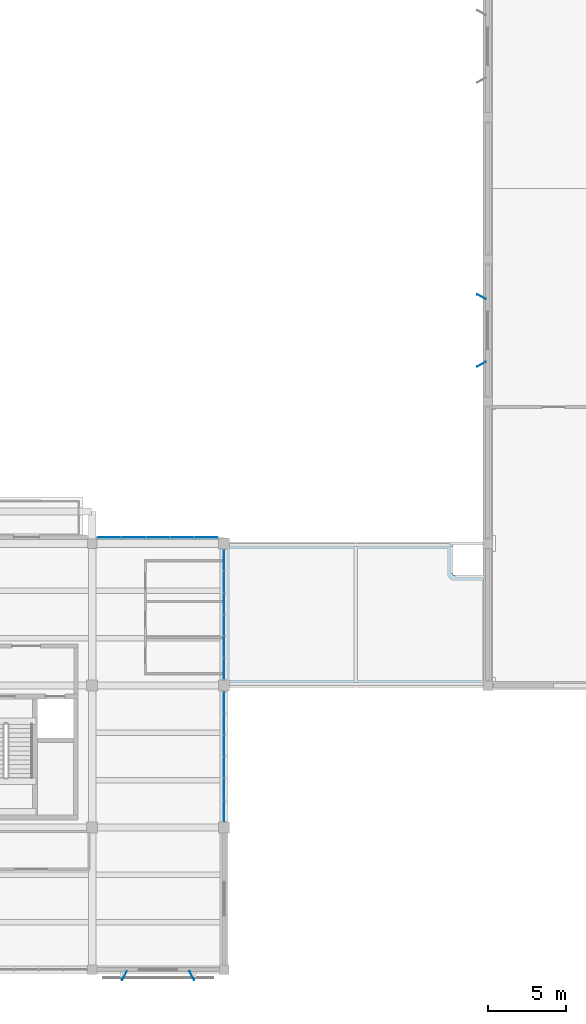
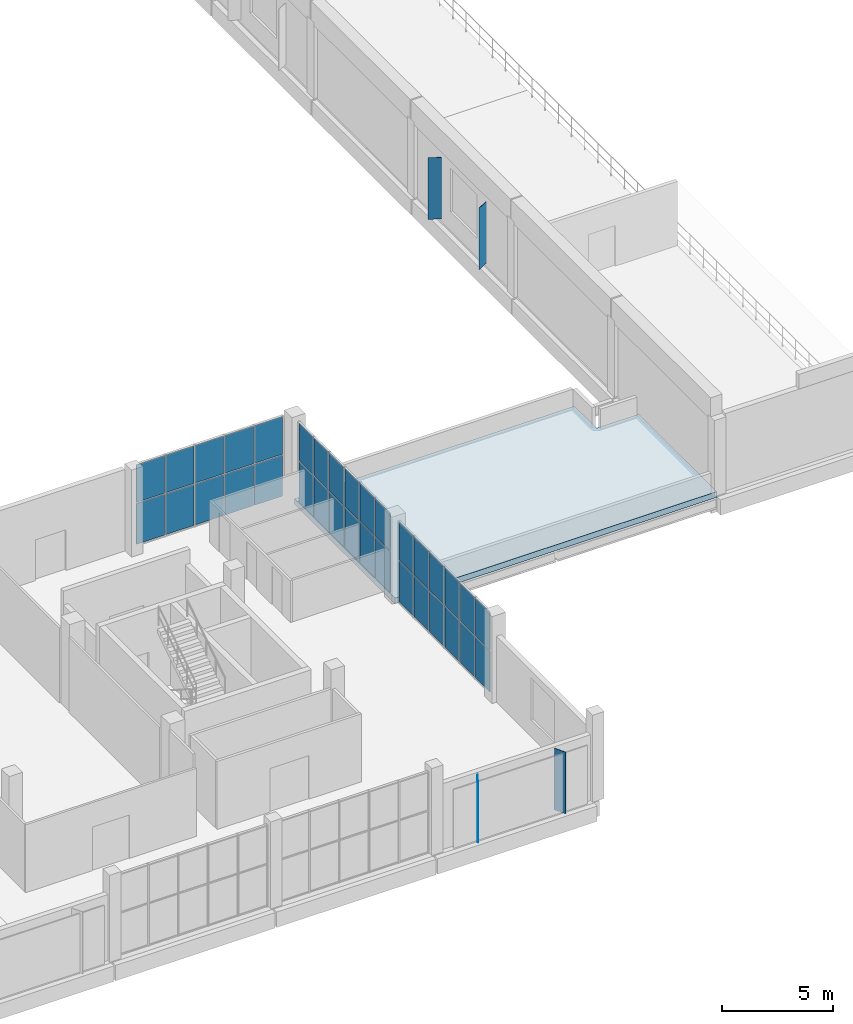
# One storey, part 47 of 80: 38 plates, 1 slab, 3 elements without a shape of their own.
"""IFC4 building model written with IfcOpenShell, lengths in metres."""

from ifc_helpers import new_model, si_unit, direction, frame, origin, origin_2d, place, context, subcontext, project, spatial, polyline, rectangle, outline, extrude, material, layer, layer_set, type_object, element, aggregate, save


model = new_model("IFC4")

# Units and contexts
model_context = context("Model", 3, precision=1e-05, world=origin(), true_north=direction((0.0, 1.0)))
body_context = subcontext(model_context, "Body", "Model", "MODEL_VIEW")
ifc_project = project(units=[si_unit("LENGTHUNIT", "METRE"), si_unit("AREAUNIT", "SQUARE_METRE"), si_unit("VOLUMEUNIT", "CUBIC_METRE"), si_unit("PLANEANGLEUNIT", "RADIAN"), si_unit("MASSUNIT", "GRAM", prefix="KILO")], contexts=[model_context])

# Site, building, storey
site_placement = place(None, origin())
site = spatial("IfcSite", under=ifc_project, at=site_placement, CompositionType="ELEMENT")
building_placement = place(site_placement, origin())
building = spatial("IfcBuilding", under=site, at=building_placement, Name="Khurvash Pelagic Aquarium", CompositionType="ELEMENT")
storey_placement = place(building_placement, frame((0.0, 0.0, 10.800048828125)))
storey = spatial("IfcBuildingStorey", under=building, at=storey_placement, Name="L02", CompositionType="ELEMENT", Elevation=10.800048828125)

# Curtain wall, plates
ifc_material_1 = material(Name="Anodised aluminium and low-E laminated glass", Category="aluminium")
curtain_wall_type_1 = type_object("IfcCurtainWallType", Name="CW-03", PredefinedType="USERDEFINED", material=ifc_material_1)
curtain_wall_1_placement = place(storey_placement, origin())
curtain_wall_1 = element("IfcCurtainWall", 1, at=curtain_wall_1_placement, inside=storey, type_object=curtain_wall_type_1, Name="L02 Facade Unitised Curtain Wall CW-03 0157", ObjectType="UNITISED CURTAIN WALL", PredefinedType="USERDEFINED")
ifc_material_2 = material(Name="Low-E laminated double glazing", Category="glass")
ifc_layer_1 = layer(ifc_material_2, 0.028076171875)
ifc_layer_set_1 = layer_set([ifc_layer_1], Name="Low-E laminated double glazing")
plate_type_1 = type_object("IfcPlateType", Name="CG-03", PredefinedType="CURTAIN_PANEL", material=ifc_layer_set_1)
plate_1_placement = place(storey_placement, frame((109.199951171875, 12.715087890625, 0.06005859375), z_axis=(0.0, 0.0, 1.0), x_axis=(0.0, 1.0, 0.0)))
plate_1 = element("IfcPlate", 2, at=plate_1_placement, type_object=plate_type_1, Name="CW-03 panel 1.1", PredefinedType="CURTAIN_PANEL", context=body_context, shape_type="SweptSolid", body=[
    extrude(rectangle(XDim=1.300048828125, YDim=0.028076171875, at=origin_2d()), origin(), (0.0, 0.0, 1.0), 2.25),
])
plate_2_placement = place(storey_placement, frame((109.199951171875, 12.715087890625, 2.3701171875), z_axis=(0.0, 0.0, 1.0), x_axis=(0.0, 1.0, 0.0)))
plate_2 = element("IfcPlate", 3, at=plate_2_placement, type_object=plate_type_1, Name="CW-03 panel 1.2", PredefinedType="CURTAIN_PANEL", context=body_context, shape_type="SweptSolid", body=[
    extrude(rectangle(XDim=1.300048828125, YDim=0.028076171875, at=origin_2d()), origin(), (0.0, 0.0, 1.0), 2.070068359375),
])
plate_3_placement = place(storey_placement, frame((109.199951171875, 14.090087890625, 0.06005859375), z_axis=(0.0, 0.0, 1.0), x_axis=(0.0, 1.0, 0.0)))
plate_3 = element("IfcPlate", 4, at=plate_3_placement, type_object=plate_type_1, Name="CW-03 panel 2.1", PredefinedType="CURTAIN_PANEL", context=body_context, shape_type="SweptSolid", body=[
    extrude(rectangle(XDim=1.330078125, YDim=0.028076171875, at=origin_2d()), origin(), (0.0, 0.0, 1.0), 2.25),
])
plate_4_placement = place(storey_placement, frame((109.199951171875, 14.090087890625, 2.3701171875), z_axis=(0.0, 0.0, 1.0), x_axis=(0.0, 1.0, 0.0)))
plate_4 = element("IfcPlate", 5, at=plate_4_placement, type_object=plate_type_1, Name="CW-03 panel 2.2", PredefinedType="CURTAIN_PANEL", context=body_context, shape_type="SweptSolid", body=[
    extrude(rectangle(XDim=1.330078125, YDim=0.028076171875, at=origin_2d()), origin(), (0.0, 0.0, 1.0), 2.070068359375),
])
plate_5_placement = place(storey_placement, frame((109.199951171875, 15.47998046875, 0.06005859375), z_axis=(0.0, 0.0, 1.0), x_axis=(0.0, 1.0, 0.0)))
plate_5 = element("IfcPlate", 6, at=plate_5_placement, type_object=plate_type_1, Name="CW-03 panel 3.1", PredefinedType="CURTAIN_PANEL", context=body_context, shape_type="SweptSolid", body=[
    extrude(rectangle(XDim=1.330078125, YDim=0.028076171875, at=origin_2d()), origin(), (0.0, 0.0, 1.0), 2.25),
])
plate_6_placement = place(storey_placement, frame((109.199951171875, 15.47998046875, 2.3701171875), z_axis=(0.0, 0.0, 1.0), x_axis=(0.0, 1.0, 0.0)))
plate_6 = element("IfcPlate", 7, at=plate_6_placement, type_object=plate_type_1, Name="CW-03 panel 3.2", PredefinedType="CURTAIN_PANEL", context=body_context, shape_type="SweptSolid", body=[
    extrude(rectangle(XDim=1.330078125, YDim=0.028076171875, at=origin_2d()), origin(), (0.0, 0.0, 1.0), 2.070068359375),
])
plate_7_placement = place(storey_placement, frame((109.199951171875, 16.8701171875, 0.06005859375), z_axis=(0.0, 0.0, 1.0), x_axis=(0.0, 1.0, 0.0)))
plate_7 = element("IfcPlate", 8, at=plate_7_placement, type_object=plate_type_1, Name="CW-03 panel 4.1", PredefinedType="CURTAIN_PANEL", context=body_context, shape_type="SweptSolid", body=[
    extrude(rectangle(XDim=1.330078125, YDim=0.028076171875, at=origin_2d()), origin(), (0.0, 0.0, 1.0), 2.25),
])
plate_8_placement = place(storey_placement, frame((109.199951171875, 16.8701171875, 2.3701171875), z_axis=(0.0, 0.0, 1.0), x_axis=(0.0, 1.0, 0.0)))
plate_8 = element("IfcPlate", 9, at=plate_8_placement, type_object=plate_type_1, Name="CW-03 panel 4.2", PredefinedType="CURTAIN_PANEL", context=body_context, shape_type="SweptSolid", body=[
    extrude(rectangle(XDim=1.330078125, YDim=0.028076171875, at=origin_2d()), origin(), (0.0, 0.0, 1.0), 2.070068359375),
])
plate_9_placement = place(storey_placement, frame((109.199951171875, 18.260009765625, 0.06005859375), z_axis=(0.0, 0.0, 1.0), x_axis=(0.0, 1.0, 0.0)))
plate_9 = element("IfcPlate", 10, at=plate_9_placement, type_object=plate_type_1, Name="CW-03 panel 5.1", PredefinedType="CURTAIN_PANEL", context=body_context, shape_type="SweptSolid", body=[
    extrude(rectangle(XDim=1.330078125, YDim=0.028076171875, at=origin_2d()), origin(), (0.0, 0.0, 1.0), 2.25),
])
plate_10_placement = place(storey_placement, frame((109.199951171875, 18.260009765625, 2.3701171875), z_axis=(0.0, 0.0, 1.0), x_axis=(0.0, 1.0, 0.0)))
plate_10 = element("IfcPlate", 11, at=plate_10_placement, type_object=plate_type_1, Name="CW-03 panel 5.2", PredefinedType="CURTAIN_PANEL", context=body_context, shape_type="SweptSolid", body=[
    extrude(rectangle(XDim=1.330078125, YDim=0.028076171875, at=origin_2d()), origin(), (0.0, 0.0, 1.0), 2.070068359375),
])
plate_11_placement = place(storey_placement, frame((109.199951171875, 19.635009765625, 0.06005859375), z_axis=(0.0, 0.0, 1.0), x_axis=(0.0, 1.0, 0.0)))
plate_11 = element("IfcPlate", 12, at=plate_11_placement, type_object=plate_type_1, Name="CW-03 panel 6.1", PredefinedType="CURTAIN_PANEL", context=body_context, shape_type="SweptSolid", body=[
    extrude(rectangle(XDim=1.300048828125, YDim=0.028076171875, at=origin_2d()), origin(), (0.0, 0.0, 1.0), 2.25),
])
plate_12_placement = place(storey_placement, frame((109.199951171875, 19.635009765625, 2.3701171875), z_axis=(0.0, 0.0, 1.0), x_axis=(0.0, 1.0, 0.0)))
plate_12 = element("IfcPlate", 13, at=plate_12_placement, type_object=plate_type_1, Name="CW-03 panel 6.2", PredefinedType="CURTAIN_PANEL", context=body_context, shape_type="SweptSolid", body=[
    extrude(rectangle(XDim=1.300048828125, YDim=0.028076171875, at=origin_2d()), origin(), (0.0, 0.0, 1.0), 2.070068359375),
])
aggregate(curtain_wall_1, [plate_1, plate_2, plate_3, plate_4, plate_5, plate_6, plate_7, plate_8, plate_9, plate_10, plate_11, plate_12])

curtain_wall_2_placement = place(storey_placement, origin())
curtain_wall_2 = element("IfcCurtainWall", 14, at=curtain_wall_2_placement, inside=storey, type_object=curtain_wall_type_1, Name="L02 Facade Unitised Curtain Wall CW-03 0158", ObjectType="UNITISED CURTAIN WALL", PredefinedType="USERDEFINED")
plate_13_placement = place(storey_placement, frame((109.199951171875, 21.764892578125, 0.06005859375), z_axis=(0.0, 0.0, 1.0), x_axis=(0.0, 1.0, 0.0)))
plate_13 = element("IfcPlate", 15, at=plate_13_placement, type_object=plate_type_1, Name="CW-03 panel 1.1", PredefinedType="CURTAIN_PANEL", context=body_context, shape_type="SweptSolid", body=[
    extrude(rectangle(XDim=1.300048828125, YDim=0.028076171875, at=origin_2d()), origin(), (0.0, 0.0, 1.0), 2.25),
])
plate_14_placement = place(storey_placement, frame((109.199951171875, 21.764892578125, 2.3701171875), z_axis=(0.0, 0.0, 1.0), x_axis=(0.0, 1.0, 0.0)))
plate_14 = element("IfcPlate", 16, at=plate_14_placement, type_object=plate_type_1, Name="CW-03 panel 1.2", PredefinedType="CURTAIN_PANEL", context=body_context, shape_type="SweptSolid", body=[
    extrude(rectangle(XDim=1.300048828125, YDim=0.028076171875, at=origin_2d()), origin(), (0.0, 0.0, 1.0), 2.070068359375),
])
plate_15_placement = place(storey_placement, frame((109.199951171875, 23.139892578125, 0.06005859375), z_axis=(0.0, 0.0, 1.0), x_axis=(0.0, 1.0, 0.0)))
plate_15 = element("IfcPlate", 17, at=plate_15_placement, type_object=plate_type_1, Name="CW-03 panel 2.1", PredefinedType="CURTAIN_PANEL", context=body_context, shape_type="SweptSolid", body=[
    extrude(rectangle(XDim=1.330078125, YDim=0.028076171875, at=origin_2d()), origin(), (0.0, 0.0, 1.0), 2.25),
])
plate_16_placement = place(storey_placement, frame((109.199951171875, 23.139892578125, 2.3701171875), z_axis=(0.0, 0.0, 1.0), x_axis=(0.0, 1.0, 0.0)))
plate_16 = element("IfcPlate", 18, at=plate_16_placement, type_object=plate_type_1, Name="CW-03 panel 2.2", PredefinedType="CURTAIN_PANEL", context=body_context, shape_type="SweptSolid", body=[
    extrude(rectangle(XDim=1.330078125, YDim=0.028076171875, at=origin_2d()), origin(), (0.0, 0.0, 1.0), 2.070068359375),
])
plate_17_placement = place(storey_placement, frame((109.199951171875, 24.530029296875, 0.06005859375), z_axis=(0.0, 0.0, 1.0), x_axis=(0.0, 1.0, 0.0)))
plate_17 = element("IfcPlate", 19, at=plate_17_placement, type_object=plate_type_1, Name="CW-03 panel 3.1", PredefinedType="CURTAIN_PANEL", context=body_context, shape_type="SweptSolid", body=[
    extrude(rectangle(XDim=1.330078125, YDim=0.028076171875, at=origin_2d()), origin(), (0.0, 0.0, 1.0), 2.25),
])
plate_18_placement = place(storey_placement, frame((109.199951171875, 24.530029296875, 2.3701171875), z_axis=(0.0, 0.0, 1.0), x_axis=(0.0, 1.0, 0.0)))
plate_18 = element("IfcPlate", 20, at=plate_18_placement, type_object=plate_type_1, Name="CW-03 panel 3.2", PredefinedType="CURTAIN_PANEL", context=body_context, shape_type="SweptSolid", body=[
    extrude(rectangle(XDim=1.330078125, YDim=0.028076171875, at=origin_2d()), origin(), (0.0, 0.0, 1.0), 2.070068359375),
])
plate_19_placement = place(storey_placement, frame((109.199951171875, 25.919921875, 0.06005859375), z_axis=(0.0, 0.0, 1.0), x_axis=(0.0, 1.0, 0.0)))
plate_19 = element("IfcPlate", 21, at=plate_19_placement, type_object=plate_type_1, Name="CW-03 panel 4.1", PredefinedType="CURTAIN_PANEL", context=body_context, shape_type="SweptSolid", body=[
    extrude(rectangle(XDim=1.330078125, YDim=0.028076171875, at=origin_2d()), origin(), (0.0, 0.0, 1.0), 2.25),
])
plate_20_placement = place(storey_placement, frame((109.199951171875, 25.919921875, 2.3701171875), z_axis=(0.0, 0.0, 1.0), x_axis=(0.0, 1.0, 0.0)))
plate_20 = element("IfcPlate", 22, at=plate_20_placement, type_object=plate_type_1, Name="CW-03 panel 4.2", PredefinedType="CURTAIN_PANEL", context=body_context, shape_type="SweptSolid", body=[
    extrude(rectangle(XDim=1.330078125, YDim=0.028076171875, at=origin_2d()), origin(), (0.0, 0.0, 1.0), 2.070068359375),
])
plate_21_placement = place(storey_placement, frame((109.199951171875, 27.31005859375, 0.06005859375), z_axis=(0.0, 0.0, 1.0), x_axis=(0.0, 1.0, 0.0)))
plate_21 = element("IfcPlate", 23, at=plate_21_placement, type_object=plate_type_1, Name="CW-03 panel 5.1", PredefinedType="CURTAIN_PANEL", context=body_context, shape_type="SweptSolid", body=[
    extrude(rectangle(XDim=1.330078125, YDim=0.028076171875, at=origin_2d()), origin(), (0.0, 0.0, 1.0), 2.25),
])
plate_22_placement = place(storey_placement, frame((109.199951171875, 27.31005859375, 2.3701171875), z_axis=(0.0, 0.0, 1.0), x_axis=(0.0, 1.0, 0.0)))
plate_22 = element("IfcPlate", 24, at=plate_22_placement, type_object=plate_type_1, Name="CW-03 panel 5.2", PredefinedType="CURTAIN_PANEL", context=body_context, shape_type="SweptSolid", body=[
    extrude(rectangle(XDim=1.330078125, YDim=0.028076171875, at=origin_2d()), origin(), (0.0, 0.0, 1.0), 2.070068359375),
])
plate_23_placement = place(storey_placement, frame((109.199951171875, 28.68505859375, 0.06005859375), z_axis=(0.0, 0.0, 1.0), x_axis=(0.0, 1.0, 0.0)))
plate_23 = element("IfcPlate", 25, at=plate_23_placement, type_object=plate_type_1, Name="CW-03 panel 6.1", PredefinedType="CURTAIN_PANEL", context=body_context, shape_type="SweptSolid", body=[
    extrude(rectangle(XDim=1.300048828125, YDim=0.028076171875, at=origin_2d()), origin(), (0.0, 0.0, 1.0), 2.25),
])
plate_24_placement = place(storey_placement, frame((109.199951171875, 28.68505859375, 2.3701171875), z_axis=(0.0, 0.0, 1.0), x_axis=(0.0, 1.0, 0.0)))
plate_24 = element("IfcPlate", 26, at=plate_24_placement, type_object=plate_type_1, Name="CW-03 panel 6.2", PredefinedType="CURTAIN_PANEL", context=body_context, shape_type="SweptSolid", body=[
    extrude(rectangle(XDim=1.300048828125, YDim=0.028076171875, at=origin_2d()), origin(), (0.0, 0.0, 1.0), 2.070068359375),
])
aggregate(curtain_wall_2, [plate_13, plate_14, plate_15, plate_16, plate_17, plate_18, plate_19, plate_20, plate_21, plate_22, plate_23, plate_24])

curtain_wall_type_2 = type_object("IfcCurtainWallType", Name="CW-06", PredefinedType="USERDEFINED", material=ifc_material_1)
curtain_wall_3_placement = place(storey_placement, origin())
curtain_wall_3 = element("IfcCurtainWall", 27, at=curtain_wall_3_placement, inside=storey, type_object=curtain_wall_type_2, Name="L02 Facade Unitised Curtain Wall CW-06 0159", ObjectType="UNITISED CURTAIN WALL", PredefinedType="USERDEFINED")
ifc_layer_2 = layer(ifc_material_2, 0.030029296875)
ifc_layer_set_2 = layer_set([ifc_layer_2], Name="Low-E laminated double glazing")
plate_type_2 = type_object("IfcPlateType", Name="CG-06", PredefinedType="CURTAIN_PANEL", material=ifc_layer_set_2)
plate_25_placement = place(storey_placement, frame((108.055908203125, 30.14990234375, 0.06005859375), z_axis=(0.0, 0.0, 1.0), x_axis=(-1.0, 0.0, 0.0)))
plate_25 = element("IfcPlate", 28, at=plate_25_placement, type_object=plate_type_2, Name="CW-06 panel 1.1", PredefinedType="CURTAIN_PANEL", context=body_context, shape_type="SweptSolid", body=[
    extrude(rectangle(XDim=1.4580078125, YDim=0.030029296875, at=origin_2d()), origin(), (0.0, 0.0, 1.0), 2.25),
])
plate_26_placement = place(storey_placement, frame((108.055908203125, 30.14990234375, 2.3701171875), z_axis=(0.0, 0.0, 1.0), x_axis=(-1.0, 0.0, 0.0)))
plate_26 = element("IfcPlate", 29, at=plate_26_placement, type_object=plate_type_2, Name="CW-06 panel 1.2", PredefinedType="CURTAIN_PANEL", context=body_context, shape_type="SweptSolid", body=[
    extrude(rectangle(XDim=1.4580078125, YDim=0.030029296875, at=origin_2d()), origin(), (0.0, 0.0, 1.0), 2.070068359375),
])
plate_27_placement = place(storey_placement, frame((106.52294921875, 30.14990234375, 0.06005859375), z_axis=(0.0, 0.0, 1.0), x_axis=(-1.0, 0.0, 0.0)))
plate_27 = element("IfcPlate", 30, at=plate_27_placement, type_object=plate_type_2, Name="CW-06 panel 2.1", PredefinedType="CURTAIN_PANEL", context=body_context, shape_type="SweptSolid", body=[
    extrude(rectangle(XDim=1.488037109375, YDim=0.030029296875, at=origin_2d()), origin(), (0.0, 0.0, 1.0), 2.25),
])
plate_28_placement = place(storey_placement, frame((106.52294921875, 30.14990234375, 2.3701171875), z_axis=(0.0, 0.0, 1.0), x_axis=(-1.0, 0.0, 0.0)))
plate_28 = element("IfcPlate", 31, at=plate_28_placement, type_object=plate_type_2, Name="CW-06 panel 2.2", PredefinedType="CURTAIN_PANEL", context=body_context, shape_type="SweptSolid", body=[
    extrude(rectangle(XDim=1.488037109375, YDim=0.030029296875, at=origin_2d()), origin(), (0.0, 0.0, 1.0), 2.070068359375),
])
plate_29_placement = place(storey_placement, frame((104.97509765625, 30.14990234375, 0.06005859375), z_axis=(0.0, 0.0, 1.0), x_axis=(-1.0, 0.0, 0.0)))
plate_29 = element("IfcPlate", 32, at=plate_29_placement, type_object=plate_type_2, Name="CW-06 panel 3.1", PredefinedType="CURTAIN_PANEL", context=body_context, shape_type="SweptSolid", body=[
    extrude(rectangle(XDim=1.488037109375, YDim=0.030029296875, at=origin_2d()), origin(), (0.0, 0.0, 1.0), 2.25),
])
plate_30_placement = place(storey_placement, frame((104.97509765625, 30.14990234375, 2.3701171875), z_axis=(0.0, 0.0, 1.0), x_axis=(-1.0, 0.0, 0.0)))
plate_30 = element("IfcPlate", 33, at=plate_30_placement, type_object=plate_type_2, Name="CW-06 panel 3.2", PredefinedType="CURTAIN_PANEL", context=body_context, shape_type="SweptSolid", body=[
    extrude(rectangle(XDim=1.488037109375, YDim=0.030029296875, at=origin_2d()), origin(), (0.0, 0.0, 1.0), 2.070068359375),
])
plate_31_placement = place(storey_placement, frame((103.427001953125, 30.14990234375, 0.06005859375), z_axis=(0.0, 0.0, 1.0), x_axis=(-1.0, 0.0, 0.0)))
plate_31 = element("IfcPlate", 34, at=plate_31_placement, type_object=plate_type_2, Name="CW-06 panel 4.1", PredefinedType="CURTAIN_PANEL", context=body_context, shape_type="SweptSolid", body=[
    extrude(rectangle(XDim=1.488037109375, YDim=0.030029296875, at=origin_2d()), origin(), (0.0, 0.0, 1.0), 2.25),
])
plate_32_placement = place(storey_placement, frame((103.427001953125, 30.14990234375, 2.3701171875), z_axis=(0.0, 0.0, 1.0), x_axis=(-1.0, 0.0, 0.0)))
plate_32 = element("IfcPlate", 35, at=plate_32_placement, type_object=plate_type_2, Name="CW-06 panel 4.2", PredefinedType="CURTAIN_PANEL", context=body_context, shape_type="SweptSolid", body=[
    extrude(rectangle(XDim=1.488037109375, YDim=0.030029296875, at=origin_2d()), origin(), (0.0, 0.0, 1.0), 2.070068359375),
])
plate_33_placement = place(storey_placement, frame((101.89404296875, 30.14990234375, 0.06005859375), z_axis=(0.0, 0.0, 1.0), x_axis=(-1.0, 0.0, 0.0)))
plate_33 = element("IfcPlate", 36, at=plate_33_placement, type_object=plate_type_2, Name="CW-06 panel 5.1", PredefinedType="CURTAIN_PANEL", context=body_context, shape_type="SweptSolid", body=[
    extrude(rectangle(XDim=1.4580078125, YDim=0.030029296875, at=origin_2d()), origin(), (0.0, 0.0, 1.0), 2.25),
])
plate_34_placement = place(storey_placement, frame((101.89404296875, 30.14990234375, 2.3701171875), z_axis=(0.0, 0.0, 1.0), x_axis=(-1.0, 0.0, 0.0)))
plate_34 = element("IfcPlate", 37, at=plate_34_placement, type_object=plate_type_2, Name="CW-06 panel 5.2", PredefinedType="CURTAIN_PANEL", context=body_context, shape_type="SweptSolid", body=[
    extrude(rectangle(XDim=1.4580078125, YDim=0.030029296875, at=origin_2d()), origin(), (0.0, 0.0, 1.0), 2.070068359375),
])
aggregate(curtain_wall_3, [plate_25, plate_26, plate_27, plate_28, plate_29, plate_30, plate_31, plate_32, plate_33, plate_34])

# Slab
ifc_material_3 = material(Name="Concrete C35/45", Category="concrete")
ifc_layer_3 = layer(ifc_material_3, 0.320068359375)
ifc_layer_set_3 = layer_set([ifc_layer_3], Name="Concrete C35/45")
slab_type = type_object("IfcSlabType", Name="RS-320", PredefinedType="ROOF", material=ifc_layer_set_3)
slab_placement = place(storey_placement, frame((0.0, 0.0, -0.320068359375)))
element("IfcSlab", 38, at=slab_placement, inside=storey, type_object=slab_type, Name="L02 Insulated Concrete Roof Slab RS-320 ROOF_L02_SLINK.1", PredefinedType="ROOF", context=body_context, shape_type="SweptSolid", body=[
    extrude(outline(polyline([(126.0, 20.699951171875), (126.0, 27.75), (123.800048828125, 27.75), (123.800048828125, 29.75), (109.199951171875, 29.75), (109.199951171875, 20.699951171875), (126.0, 20.699951171875)])), origin(), (0.0, 0.0, 1.0), 0.320068359375),
])

# Plates
ifc_material_4 = material(Name="Anodised aluminium AW-5005", Category="aluminium")
ifc_layer_4 = layer(ifc_material_4, 0.02392578125)
ifc_layer_set_4 = layer_set([ifc_layer_4], Name="Anodised aluminium AW-5005")
plate_type_3 = type_object("IfcPlateType", Name="SP-01", PredefinedType="SHEET", material=ifc_layer_set_4)
for number, where, z_axis, x_axis, name in (
    (39, (102.85009765625, 2.221923828125, 0.14990234375), (0.0, 0.0, 1.0), (-0.469471562786, -0.882947592859, 0.0), "L02 Parametric Folded Aluminium Solar Screen Fin SP-01 0031"),
    (40, (107.14990234375, 2.221923828125, 0.14990234375), (0.0, 0.0, 1.0), (0.469471562786, -0.882947592859, 0.0), "L02 Parametric Folded Aluminium Solar Screen Fin SP-01 0032"),
    (41, (125.60205078125, 45.47509765625, 0.14990234375), (0.0, 0.0, 1.0), (-0.882947592859, 0.469471562786, 0.0), "L02 Parametric Folded Aluminium Solar Screen Fin SP-01 0149"),
    (42, (125.60205078125, 41.175048828125, 0.14990234375), (0.0, 0.0, 1.0), (-0.882947592859, -0.469471562786, 0.0), "L02 Parametric Folded Aluminium Solar Screen Fin SP-01 0150"),
):
    element("IfcPlate", number, at=place(storey_placement, frame(where, z_axis=z_axis, x_axis=x_axis)), inside=storey, type_object=plate_type_3, Name=name, PredefinedType="SHEET", context=body_context, shape_type="SweptSolid", body=[
        extrude(rectangle(XDim=0.6201171875, YDim=0.02392578125, at=origin_2d()), origin(), (0.0, 0.0, 1.0), 3.39990234375),
    ])

save(model, "model.ifc")
